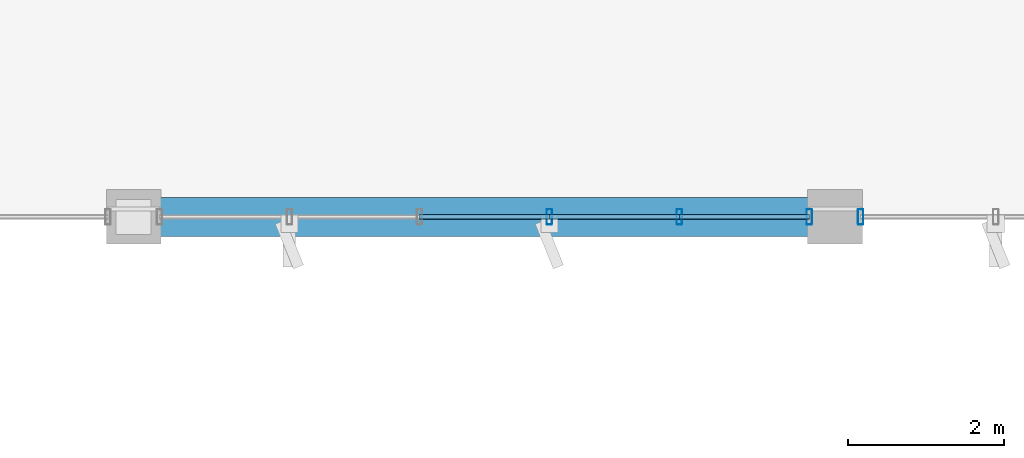
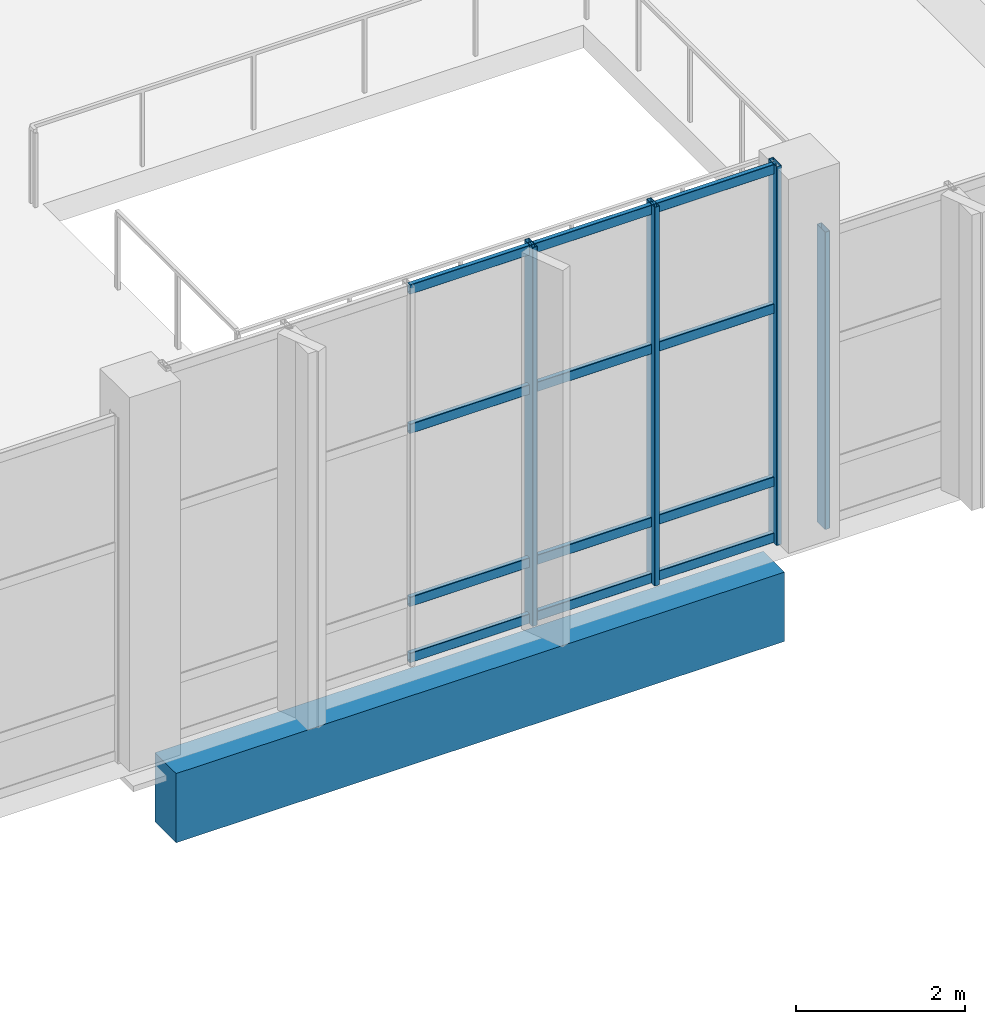
# One storey, part 28 of 176: 16 members, 1 beam, 2 elements without a shape of their own.
"""IFC4 building model written with IfcOpenShell, lengths in metres."""

from ifc_helpers import new_model, si_unit, direction, frame, origin, origin_2d, place, context, subcontext, project, spatial, rectangle, hollow_rectangle, extrude, material, layer, layer_set, material_profile, profile_set, type_object, element, aggregate, save


model = new_model("IFC4")

# Units and contexts
model_context = context("Model", 3, precision=1e-05, world=origin(), true_north=direction((0.0, 1.0)))
body_context = subcontext(model_context, "Body", "Model", "MODEL_VIEW")
ifc_project = project(units=[si_unit("LENGTHUNIT", "METRE"), si_unit("AREAUNIT", "SQUARE_METRE"), si_unit("VOLUMEUNIT", "CUBIC_METRE"), si_unit("PLANEANGLEUNIT", "RADIAN"), si_unit("MASSUNIT", "GRAM", prefix="KILO")], contexts=[model_context])

# Site, building, storey
site_placement = place(None, origin())
site = spatial("IfcSite", under=ifc_project, at=site_placement, CompositionType="ELEMENT")
building_placement = place(site_placement, origin())
building = spatial("IfcBuilding", under=site, at=building_placement, Name="Khorjan Park Terminus", CompositionType="ELEMENT")
storey_placement = place(building_placement, frame((0.0, 0.0, 6.0)))
storey = spatial("IfcBuildingStorey", under=building, at=storey_placement, Name="L01", CompositionType="ELEMENT", Elevation=6.0)

# Beam
ifc_material_1 = material(Name="Concrete C40/50", Category="concrete")
ifc_material_profile_1 = material_profile(ifc_material_1, rectangle(XDim=0.5, YDim=1.0, at=origin_2d()), Name="RC 500x1000")
ifc_profile_set_1 = profile_set([ifc_material_profile_1], Name="Concrete C40/50")
beam_type = type_object("IfcBeamType", Name="BM-RC500x1000", PredefinedType="BEAM", material=ifc_profile_set_1)
beam_placement = place(storey_placement, frame((32.345, 50.0, -0.83), z_axis=(1.0, 0.0, 0.0), x_axis=(0.0, 1.0, 0.0)))
element("IfcBeam", 1, at=beam_placement, inside=storey, type_object=beam_type, Name="Primary floor girder GB-10B (L01)", PredefinedType="BEAM", context=body_context, shape_type="SweptSolid", body=[
    extrude(rectangle(XDim=0.5, YDim=1.0, at=origin_2d()), origin(), (0.0, 0.0, 1.0), 8.31),
])

# Curtain wall, members
ifc_material_2 = material(Name="Anodized Bronze Aluminium", Category="aluminium")
ifc_layer = layer(ifc_material_2, 0.22)
ifc_layer_set = layer_set([ifc_layer], Name="Anodized Bronze Aluminium")
curtain_wall_type = type_object("IfcCurtainWallType", Name="CW-PAV-C", PredefinedType="NOTDEFINED", material=ifc_layer_set)
curtain_wall_1_placement = place(storey_placement, origin())
curtain_wall_1 = element("IfcCurtainWall", 2, at=curtain_wall_1_placement, inside=storey, type_object=curtain_wall_type, Name="Unitized curtain wall CW-C (CW-V4L-S-L01-2)", PredefinedType="NOTDEFINED")
ifc_material_profile_2 = material_profile(ifc_material_2, hollow_rectangle(XDim=0.07, YDim=0.2, WallThickness=0.005, InnerFilletRadius=0.005, OuterFilletRadius=0.01, at=origin_2d()), Name="ALM 70x200x5")
ifc_profile_set_2 = profile_set([ifc_material_profile_2], Name="Anodized Bronze Aluminium")
member_type_1 = type_object("IfcMemberType", Name="ML-ALM-200", PredefinedType="MULLION", material=ifc_profile_set_2)
member_1_placement = place(storey_placement, frame((37.334, 50.0, -0.035), z_axis=(0.0, 0.0, 1.0), x_axis=(1.0, 0.0, 0.0)))
member_1 = element("IfcMember", 3, at=member_1_placement, type_object=member_type_1, Name="Curtain-wall mullion ML-20 (CW-V4L-S-L01-2-3)", PredefinedType="MULLION", context=body_context, shape_type="SweptSolid", body=[
    extrude(hollow_rectangle(XDim=0.07, YDim=0.2, WallThickness=0.005, InnerFilletRadius=0.005, OuterFilletRadius=0.01, at=origin_2d()), origin(), (0.0, 0.0, 1.0), 5.47),
])
member_2_placement = place(storey_placement, frame((39.002, 50.0, -0.035), z_axis=(0.0, 0.0, 1.0), x_axis=(1.0, 0.0, 0.0)))
member_2 = element("IfcMember", 4, at=member_2_placement, type_object=member_type_1, Name="Curtain-wall mullion ML-20 (CW-V4L-S-L01-2-4)", PredefinedType="MULLION", context=body_context, shape_type="SweptSolid", body=[
    extrude(hollow_rectangle(XDim=0.07, YDim=0.2, WallThickness=0.005, InnerFilletRadius=0.005, OuterFilletRadius=0.01, at=origin_2d()), origin(), (0.0, 0.0, 1.0), 5.47),
])
member_3_placement = place(storey_placement, frame((40.67, 50.0, -0.035), z_axis=(0.0, 0.0, 1.0), x_axis=(1.0, 0.0, 0.0)))
member_3 = element("IfcMember", 5, at=member_3_placement, type_object=member_type_1, Name="Curtain-wall mullion ML-20 (CW-V4L-S-L01-2-5)", PredefinedType="MULLION", context=body_context, shape_type="SweptSolid", body=[
    extrude(hollow_rectangle(XDim=0.07, YDim=0.2, WallThickness=0.005, InnerFilletRadius=0.005, OuterFilletRadius=0.01, at=origin_2d()), origin(), (0.0, 0.0, 1.0), 5.47),
])

# Curtain wall, member
curtain_wall_2_placement = place(storey_placement, origin())
curtain_wall_2 = element("IfcCurtainWall", 6, at=curtain_wall_2_placement, inside=storey, type_object=curtain_wall_type, Name="Unitized curtain wall CW-C (CW-V4L-S-L01-3)", PredefinedType="NOTDEFINED")
member_4_placement = place(storey_placement, frame((41.33, 50.0, -0.035), z_axis=(0.0, 0.0, 1.0), x_axis=(1.0, 0.0, 0.0)))
member_4 = element("IfcMember", 7, at=member_4_placement, type_object=member_type_1, Name="Curtain-wall mullion ML-20 (CW-V4L-S-L01-3-0)", PredefinedType="MULLION", context=body_context, shape_type="SweptSolid", body=[
    extrude(hollow_rectangle(XDim=0.07, YDim=0.2, WallThickness=0.005, InnerFilletRadius=0.005, OuterFilletRadius=0.01, at=origin_2d()), origin(), (0.0, 0.0, 1.0), 4.295),
])
aggregate(curtain_wall_2, [member_4])

# Member
ifc_material_profile_3 = material_profile(ifc_material_2, hollow_rectangle(XDim=0.065, YDim=0.14, WallThickness=0.004, InnerFilletRadius=0.004, OuterFilletRadius=0.008, at=origin_2d()), Name="ALT 65x140x4")
ifc_profile_set_3 = profile_set([ifc_material_profile_3], Name="Anodized Bronze Aluminium")
member_type_2 = type_object("IfcMemberType", Name="TR-ALT-140", PredefinedType="USERDEFINED", material=ifc_profile_set_3)
member_5_placement = place(storey_placement, frame((35.666, 50.0, 0.04), z_axis=(1.0, 0.0, 0.0), x_axis=(0.0, 1.0, 0.0)))
member_5 = element("IfcMember", 8, at=member_5_placement, type_object=member_type_2, Name="Curtain-wall transom TR-14 (CW-V4L-S-L01-2-2-1)", ObjectType="TRANSOM", PredefinedType="USERDEFINED", context=body_context, shape_type="SweptSolid", body=[
    extrude(hollow_rectangle(XDim=0.065, YDim=0.14, WallThickness=0.004, InnerFilletRadius=0.004, OuterFilletRadius=0.008, at=origin_2d()), origin(), (0.0, 0.0, 1.0), 1.668),
])

member_6_placement = place(storey_placement, frame((35.666, 50.0, 0.85), z_axis=(1.0, 0.0, 0.0), x_axis=(0.0, 1.0, 0.0)))
member_6 = element("IfcMember", 9, at=member_6_placement, type_object=member_type_2, Name="Curtain-wall transom TR-14 (CW-V4L-S-L01-2-2-2)", ObjectType="TRANSOM", PredefinedType="USERDEFINED", context=body_context, shape_type="SweptSolid", body=[
    extrude(hollow_rectangle(XDim=0.065, YDim=0.14, WallThickness=0.004, InnerFilletRadius=0.004, OuterFilletRadius=0.008, at=origin_2d()), origin(), (0.0, 0.0, 1.0), 1.668),
])

member_7_placement = place(storey_placement, frame((35.666, 50.0, 3.348), z_axis=(1.0, 0.0, 0.0), x_axis=(0.0, 1.0, 0.0)))
member_7 = element("IfcMember", 10, at=member_7_placement, type_object=member_type_2, Name="Curtain-wall transom TR-14 (CW-V4L-S-L01-2-2-3)", ObjectType="TRANSOM", PredefinedType="USERDEFINED", context=body_context, shape_type="SweptSolid", body=[
    extrude(hollow_rectangle(XDim=0.065, YDim=0.14, WallThickness=0.004, InnerFilletRadius=0.004, OuterFilletRadius=0.008, at=origin_2d()), origin(), (0.0, 0.0, 1.0), 1.668),
])

member_8_placement = place(storey_placement, frame((35.666, 50.0, 5.36), z_axis=(1.0, 0.0, 0.0), x_axis=(0.0, 1.0, 0.0)))
member_8 = element("IfcMember", 11, at=member_8_placement, type_object=member_type_2, Name="Curtain-wall transom TR-14 (CW-V4L-S-L01-2-2-4)", ObjectType="TRANSOM", PredefinedType="USERDEFINED", context=body_context, shape_type="SweptSolid", body=[
    extrude(hollow_rectangle(XDim=0.065, YDim=0.14, WallThickness=0.004, InnerFilletRadius=0.004, OuterFilletRadius=0.008, at=origin_2d()), origin(), (0.0, 0.0, 1.0), 1.668),
])

member_9_placement = place(storey_placement, frame((37.334, 50.0, 0.04), z_axis=(1.0, 0.0, 0.0), x_axis=(0.0, 1.0, 0.0)))
member_9 = element("IfcMember", 12, at=member_9_placement, type_object=member_type_2, Name="Curtain-wall transom TR-14 (CW-V4L-S-L01-2-3-1)", ObjectType="TRANSOM", PredefinedType="USERDEFINED", context=body_context, shape_type="SweptSolid", body=[
    extrude(hollow_rectangle(XDim=0.065, YDim=0.14, WallThickness=0.004, InnerFilletRadius=0.004, OuterFilletRadius=0.008, at=origin_2d()), origin(), (0.0, 0.0, 1.0), 1.668),
])

member_10_placement = place(storey_placement, frame((37.334, 50.0, 0.85), z_axis=(1.0, 0.0, 0.0), x_axis=(0.0, 1.0, 0.0)))
member_10 = element("IfcMember", 13, at=member_10_placement, type_object=member_type_2, Name="Curtain-wall transom TR-14 (CW-V4L-S-L01-2-3-2)", ObjectType="TRANSOM", PredefinedType="USERDEFINED", context=body_context, shape_type="SweptSolid", body=[
    extrude(hollow_rectangle(XDim=0.065, YDim=0.14, WallThickness=0.004, InnerFilletRadius=0.004, OuterFilletRadius=0.008, at=origin_2d()), origin(), (0.0, 0.0, 1.0), 1.668),
])

member_11_placement = place(storey_placement, frame((37.334, 50.0, 3.348), z_axis=(1.0, 0.0, 0.0), x_axis=(0.0, 1.0, 0.0)))
member_11 = element("IfcMember", 14, at=member_11_placement, type_object=member_type_2, Name="Curtain-wall transom TR-14 (CW-V4L-S-L01-2-3-3)", ObjectType="TRANSOM", PredefinedType="USERDEFINED", context=body_context, shape_type="SweptSolid", body=[
    extrude(hollow_rectangle(XDim=0.065, YDim=0.14, WallThickness=0.004, InnerFilletRadius=0.004, OuterFilletRadius=0.008, at=origin_2d()), origin(), (0.0, 0.0, 1.0), 1.668),
])

member_12_placement = place(storey_placement, frame((37.334, 50.0, 5.36), z_axis=(1.0, 0.0, 0.0), x_axis=(0.0, 1.0, 0.0)))
member_12 = element("IfcMember", 15, at=member_12_placement, type_object=member_type_2, Name="Curtain-wall transom TR-14 (CW-V4L-S-L01-2-3-4)", ObjectType="TRANSOM", PredefinedType="USERDEFINED", context=body_context, shape_type="SweptSolid", body=[
    extrude(hollow_rectangle(XDim=0.065, YDim=0.14, WallThickness=0.004, InnerFilletRadius=0.004, OuterFilletRadius=0.008, at=origin_2d()), origin(), (0.0, 0.0, 1.0), 1.668),
])

member_13_placement = place(storey_placement, frame((39.002, 50.0, 0.04), z_axis=(1.0, 0.0, 0.0), x_axis=(0.0, 1.0, 0.0)))
member_13 = element("IfcMember", 16, at=member_13_placement, type_object=member_type_2, Name="Curtain-wall transom TR-14 (CW-V4L-S-L01-2-4-1)", ObjectType="TRANSOM", PredefinedType="USERDEFINED", context=body_context, shape_type="SweptSolid", body=[
    extrude(hollow_rectangle(XDim=0.065, YDim=0.14, WallThickness=0.004, InnerFilletRadius=0.004, OuterFilletRadius=0.008, at=origin_2d()), origin(), (0.0, 0.0, 1.0), 1.668),
])

member_14_placement = place(storey_placement, frame((39.002, 50.0, 0.85), z_axis=(1.0, 0.0, 0.0), x_axis=(0.0, 1.0, 0.0)))
member_14 = element("IfcMember", 17, at=member_14_placement, type_object=member_type_2, Name="Curtain-wall transom TR-14 (CW-V4L-S-L01-2-4-2)", ObjectType="TRANSOM", PredefinedType="USERDEFINED", context=body_context, shape_type="SweptSolid", body=[
    extrude(hollow_rectangle(XDim=0.065, YDim=0.14, WallThickness=0.004, InnerFilletRadius=0.004, OuterFilletRadius=0.008, at=origin_2d()), origin(), (0.0, 0.0, 1.0), 1.668),
])

member_15_placement = place(storey_placement, frame((39.002, 50.0, 3.348), z_axis=(1.0, 0.0, 0.0), x_axis=(0.0, 1.0, 0.0)))
member_15 = element("IfcMember", 18, at=member_15_placement, type_object=member_type_2, Name="Curtain-wall transom TR-14 (CW-V4L-S-L01-2-4-3)", ObjectType="TRANSOM", PredefinedType="USERDEFINED", context=body_context, shape_type="SweptSolid", body=[
    extrude(hollow_rectangle(XDim=0.065, YDim=0.14, WallThickness=0.004, InnerFilletRadius=0.004, OuterFilletRadius=0.008, at=origin_2d()), origin(), (0.0, 0.0, 1.0), 1.668),
])

member_16_placement = place(storey_placement, frame((39.002, 50.0, 5.36), z_axis=(1.0, 0.0, 0.0), x_axis=(0.0, 1.0, 0.0)))
member_16 = element("IfcMember", 19, at=member_16_placement, type_object=member_type_2, Name="Curtain-wall transom TR-14 (CW-V4L-S-L01-2-4-4)", ObjectType="TRANSOM", PredefinedType="USERDEFINED", context=body_context, shape_type="SweptSolid", body=[
    extrude(hollow_rectangle(XDim=0.065, YDim=0.14, WallThickness=0.004, InnerFilletRadius=0.004, OuterFilletRadius=0.008, at=origin_2d()), origin(), (0.0, 0.0, 1.0), 1.668),
])

aggregate(curtain_wall_1, [member_1, member_2, member_3, member_5, member_6, member_7, member_8, member_9, member_10, member_11, member_12, member_13, member_14, member_15, member_16])

save(model, "model.ifc")
